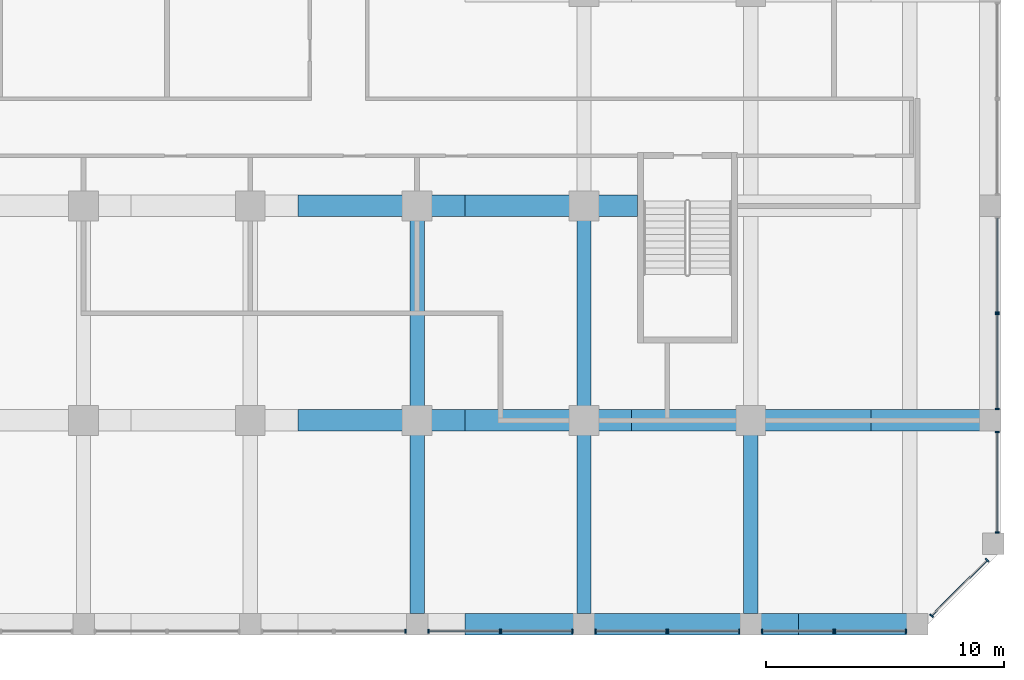
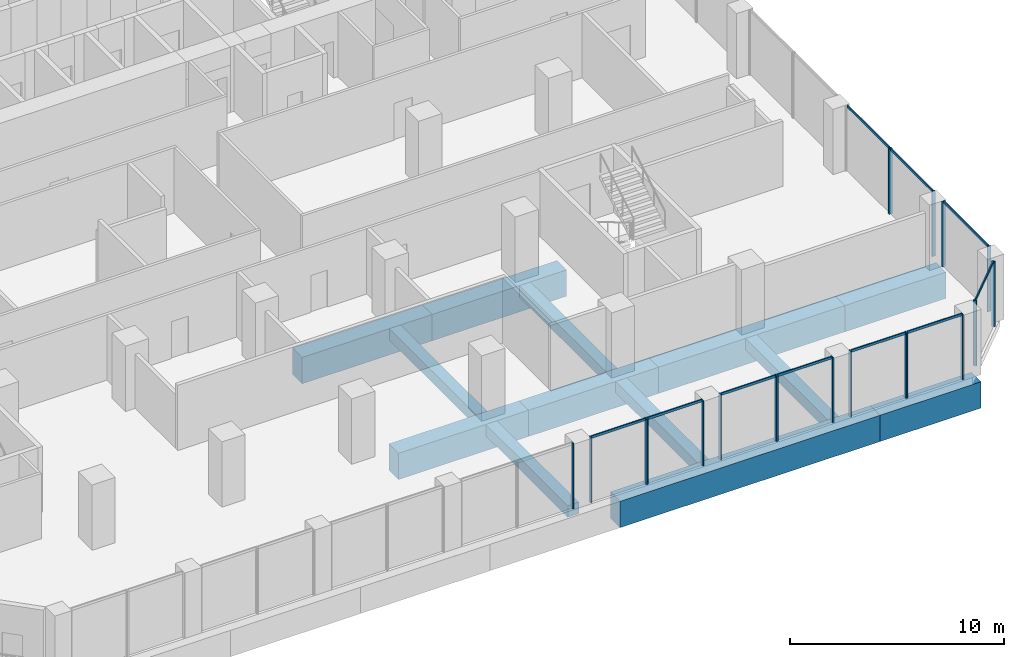
# One storey, part 5 of 20: 30 members, 13 beams, 11 elements without a shape of their own.
"""IFC4 building model written with IfcOpenShell, lengths in metres."""

from ifc_helpers import new_model, si_unit, direction, frame, origin, origin_2d, place, context, subcontext, project, spatial, rectangle, extrude, source, transform, mapped, material, material_profile, profile_set, type_object, element, aggregate, save


model = new_model("IFC4")

# Units and contexts
model_context = context("Model", 3, precision=1e-05, world=origin(), true_north=direction((0.0, 1.0)))
body_context = subcontext(model_context, "Body", "Model", "MODEL_VIEW")
ifc_project = project(units=[si_unit("LENGTHUNIT", "METRE"), si_unit("AREAUNIT", "SQUARE_METRE"), si_unit("VOLUMEUNIT", "CUBIC_METRE"), si_unit("PLANEANGLEUNIT", "RADIAN"), si_unit("MASSUNIT", "GRAM", prefix="KILO")], contexts=[model_context])

# Site, building, storey
site_placement = place(None, origin())
site = spatial("IfcSite", under=ifc_project, at=site_placement, CompositionType="ELEMENT")
building_placement = place(site_placement, origin())
building = spatial("IfcBuilding", under=site, at=building_placement, Name="Kilnfold Tower and Market Hall", CompositionType="ELEMENT")
storey_placement = place(building_placement, frame((0.0, 0.0, 63.199951171875)))
storey = spatial("IfcBuildingStorey", under=building, at=storey_placement, Name="L14", CompositionType="ELEMENT", Elevation=63.199951171875)

# Beams
ifc_material_1 = material(Name="Concrete C60", Category="concrete")
ifc_material_profile_1 = material_profile(ifc_material_1, rectangle(XDim=0.89990234375, YDim=1.5, at=origin_2d()), Name="RC 900x1500")
ifc_profile_set_1 = profile_set([ifc_material_profile_1], Name="Concrete C60")
beam_type_1 = type_object("IfcBeamType", Name="TRANSFER GIRDER 900X1500 C60", PredefinedType="BEAM", material=ifc_profile_set_1)
shared_shape_1 = source(origin(), body_context, "Body", "SweptSolid", [
    extrude(rectangle(XDim=0.89990234375, YDim=1.5, at=origin_2d()), origin(), (0.0, 0.0, 1.0), 10.050048828125),
])
beam_1_placement = place(storey_placement, frame((17.5, -19.0, -1.14990234375), z_axis=(1.0, 0.0, 0.0), x_axis=(0.0, 1.0, 0.0)))
element("IfcBeam", 1, at=beam_1_placement, inside=storey, type_object=beam_type_1, Name="Beam TG1500-B2.29", PredefinedType="BEAM", context=body_context, shape_type="MappedRepresentation", body=[
    mapped(shared_shape_1, transform((0.0, 0.0, 0.0))),
])
shared_shape_2 = source(origin(), body_context, "Body", "SweptSolid", [
    extrude(rectangle(XDim=0.89990234375, YDim=1.5, at=origin_2d()), origin(), (0.0, 0.0, 1.0), 7.0),
])
for number, where, z_axis, x_axis, name in (
    (2, (3.5, -19.0, -1.14990234375), (1.0, 0.0, 0.0), (0.0, 1.0, 0.0), "Beam TG1500-B2.21"),
    (3, (3.5, -10.0, -1.14990234375), (1.0, 0.0, 0.0), (0.0, 1.0, 0.0), "Beam TG1500-B2.22"),
    (4, (10.5, -19.0, -1.14990234375), (1.0, 0.0, 0.0), (0.0, 1.0, 0.0), "Beam TG1500-B2.25"),
):
    element("IfcBeam", number, at=place(storey_placement, frame(where, z_axis=z_axis, x_axis=x_axis)), inside=storey, type_object=beam_type_1, Name=name, PredefinedType="BEAM", context=body_context, shape_type="MappedRepresentation", body=[
        mapped(shared_shape_2, transform((0.0, 0.0, 0.0))),
    ])
shared_shape_3 = source(origin(), body_context, "Body", "SweptSolid", [
    extrude(rectangle(XDim=0.89990234375, YDim=1.5, at=origin_2d()), origin(), (0.0, 0.0, 1.0), 14.0),
])
beam_2_placement = place(storey_placement, frame((10.5, -27.550048828125, -1.14990234375), z_axis=(1.0, 0.0, 0.0), x_axis=(0.0, 1.0, 0.0)))
element("IfcBeam", 5, at=beam_2_placement, inside=storey, type_object=beam_type_1, Name="Beam TG1500-B2.24", PredefinedType="BEAM", context=body_context, shape_type="MappedRepresentation", body=[
    mapped(shared_shape_3, transform((0.0, 0.0, 0.0))),
])
shared_shape_4 = source(origin(), body_context, "Body", "SweptSolid", [
    extrude(rectangle(XDim=0.89990234375, YDim=1.5, at=origin_2d()), origin(), (0.0, 0.0, 1.0), 7.25),
])
beam_3_placement = place(storey_placement, frame((10.5, -10.0, -1.14990234375), z_axis=(1.0, 0.0, 0.0), x_axis=(0.0, 1.0, 0.0)))
element("IfcBeam", 6, at=beam_3_placement, inside=storey, type_object=beam_type_1, Name="Beam TG1500-B2.26", PredefinedType="BEAM", context=body_context, shape_type="MappedRepresentation", body=[
    mapped(shared_shape_4, transform((0.0, 0.0, 0.0))),
])
shared_shape_5 = source(origin(), body_context, "Body", "SweptSolid", [
    extrude(rectangle(XDim=0.89990234375, YDim=1.5, at=origin_2d()), origin(), (0.0, 0.0, 1.0), 5.449951171875),
])
for number, where, z_axis, x_axis, name in (
    (7, (24.5, -27.550048828125, -1.14990234375), (1.0, 0.0, 0.0), (0.0, 1.0, 0.0), "Beam TG1500-B2.33"),
    (8, (27.550048828125, -19.0, -1.14990234375), (1.0, 0.0, 0.0), (0.0, 1.0, 0.0), "Beam TG1500-B2.34"),
):
    element("IfcBeam", number, at=place(storey_placement, frame(where, z_axis=z_axis, x_axis=x_axis)), inside=storey, type_object=beam_type_1, Name=name, PredefinedType="BEAM", context=body_context, shape_type="MappedRepresentation", body=[
        mapped(shared_shape_5, transform((0.0, 0.0, 0.0))),
    ])
ifc_material_2 = material(Name="Concrete C45", Category="concrete")
ifc_material_profile_2 = material_profile(ifc_material_2, rectangle(XDim=0.60009765625, YDim=0.64990234375, at=origin_2d()), Name="RC 600x650")
ifc_profile_set_2 = profile_set([ifc_material_profile_2], Name="Concrete C45")
beam_type_2 = type_object("IfcBeamType", Name="BEAM 600X650 C45", PredefinedType="BEAM", material=ifc_profile_set_2)
shared_shape_6 = source(origin(), body_context, "Body", "SweptSolid", [
    extrude(rectangle(XDim=0.60009765625, YDim=0.64990234375, at=origin_2d()), origin(), (0.0, 0.0, 1.0), 7.650146484375),
])
for number, where, z_axis, x_axis, name in (
    (9, (8.5, -27.10009765625, -0.724853515625), (0.0, 1.0, 0.0), (-1.0, 0.0, 0.0), "Beam BB650-B2.50"),
    (10, (15.5, -27.10009765625, -0.724853515625), (0.0, 1.0, 0.0), (-1.0, 0.0, 0.0), "Beam BB650-B2.52"),
    (11, (22.5, -27.10009765625, -0.724853515625), (0.0, 1.0, 0.0), (-1.0, 0.0, 0.0), "Beam BB650-B2.55"),
):
    element("IfcBeam", number, at=place(storey_placement, frame(where, z_axis=z_axis, x_axis=x_axis)), inside=storey, type_object=beam_type_2, Name=name, PredefinedType="BEAM", context=body_context, shape_type="MappedRepresentation", body=[
        mapped(shared_shape_6, transform((0.0, 0.0, 0.0))),
    ])
shared_shape_7 = source(origin(), body_context, "Body", "SweptSolid", [
    extrude(rectangle(XDim=0.60009765625, YDim=0.64990234375, at=origin_2d()), origin(), (0.0, 0.0, 1.0), 8.10009765625),
])
for number, where, z_axis, x_axis, name in (
    (12, (8.5, -18.550048828125, -0.724853515625), (0.0, 1.0, 0.0), (-1.0, 0.0, 0.0), "Beam BB650-B2.51"),
    (13, (15.5, -18.550048828125, -0.724853515625), (0.0, 1.0, 0.0), (-1.0, 0.0, 0.0), "Beam BB650-B2.53"),
):
    element("IfcBeam", number, at=place(storey_placement, frame(where, z_axis=z_axis, x_axis=x_axis)), inside=storey, type_object=beam_type_2, Name=name, PredefinedType="BEAM", context=body_context, shape_type="MappedRepresentation", body=[
        mapped(shared_shape_7, transform((0.0, 0.0, 0.0))),
    ])

# Curtain wall, member
ifc_material_3 = material(Name="Aluminium and double glazing", Category="aluminium")
curtain_wall_type = type_object("IfcCurtainWallType", Name="CW OF1 VALLEY GLAZING", PredefinedType="NOTDEFINED", material=ifc_material_3)
curtain_wall_1_placement = place(storey_placement, origin())
curtain_wall_1 = element("IfcCurtainWall", 14, at=curtain_wall_1_placement, inside=storey, type_object=curtain_wall_type, Name="Curtain wall CW1 L14 S", PredefinedType="NOTDEFINED")
ifc_material_4 = material(Name="Aluminium", Category="aluminium")
ifc_material_profile_3 = material_profile(ifc_material_4, rectangle(XDim=0.06005859375, YDim=0.179931640625, at=origin_2d()), Name="MULLION 60x180")
ifc_profile_set_3 = profile_set([ifc_material_profile_3], Name="Aluminium")
member_type_1 = type_object("IfcMemberType", Name="MULLION 60X180", PredefinedType="MULLION", material=ifc_profile_set_3)
shared_shape_8 = source(origin(), body_context, "Body", "SweptSolid", [
    extrude(rectangle(XDim=0.06005859375, YDim=0.179931640625, at=origin_2d()), origin(), (0.0, 0.0, 1.0), 3.719970703125),
])
member_1_placement = place(storey_placement, frame((8.02001953125, -27.85009765625, 0.0), z_axis=(0.0, 0.0, 1.0), x_axis=(1.0, 0.0, 0.0)))
member_1 = element("IfcMember", 15, at=member_1_placement, type_object=member_type_1, Name="CW1 mullion 2", PredefinedType="MULLION", context=body_context, shape_type="MappedRepresentation", body=[
    mapped(shared_shape_8, transform((0.0, 0.0, 0.0))),
])
aggregate(curtain_wall_1, [member_1])

# Curtain wall, members
curtain_wall_2_placement = place(storey_placement, origin())
curtain_wall_2 = element("IfcCurtainWall", 16, at=curtain_wall_2_placement, inside=storey, type_object=curtain_wall_type, Name="Curtain wall CW1 L14 S", PredefinedType="NOTDEFINED")
member_2_placement = place(storey_placement, frame((8.97998046875, -27.85009765625, 0.0), z_axis=(0.0, 0.0, 1.0), x_axis=(1.0, 0.0, 0.0)))
member_2 = element("IfcMember", 17, at=member_2_placement, type_object=member_type_1, Name="CW1 mullion 1", PredefinedType="MULLION", context=body_context, shape_type="MappedRepresentation", body=[
    mapped(shared_shape_8, transform((0.0, 0.0, 0.0))),
])
member_3_placement = place(storey_placement, frame((11.969970703125, -27.85009765625, 0.0), z_axis=(0.0, 0.0, 1.0), x_axis=(1.0, 0.0, 0.0)))
member_3 = element("IfcMember", 18, at=member_3_placement, type_object=member_type_1, Name="CW1 mullion 2", PredefinedType="MULLION", context=body_context, shape_type="MappedRepresentation", body=[
    mapped(shared_shape_8, transform((0.0, 0.0, 0.0))),
])

curtain_wall_3_placement = place(storey_placement, origin())
curtain_wall_3 = element("IfcCurtainWall", 19, at=curtain_wall_3_placement, inside=storey, type_object=curtain_wall_type, Name="Curtain wall CW1 L14 S", PredefinedType="NOTDEFINED")
member_4_placement = place(storey_placement, frame((12.030029296875, -27.85009765625, 0.0), z_axis=(0.0, 0.0, 1.0), x_axis=(1.0, 0.0, 0.0)))
member_4 = element("IfcMember", 20, at=member_4_placement, type_object=member_type_1, Name="CW1 mullion 1", PredefinedType="MULLION", context=body_context, shape_type="MappedRepresentation", body=[
    mapped(shared_shape_8, transform((0.0, 0.0, 0.0))),
])
member_5_placement = place(storey_placement, frame((15.02001953125, -27.85009765625, 0.0), z_axis=(0.0, 0.0, 1.0), x_axis=(1.0, 0.0, 0.0)))
member_5 = element("IfcMember", 21, at=member_5_placement, type_object=member_type_1, Name="CW1 mullion 2", PredefinedType="MULLION", context=body_context, shape_type="MappedRepresentation", body=[
    mapped(shared_shape_8, transform((0.0, 0.0, 0.0))),
])

curtain_wall_4_placement = place(storey_placement, origin())
curtain_wall_4 = element("IfcCurtainWall", 22, at=curtain_wall_4_placement, inside=storey, type_object=curtain_wall_type, Name="Curtain wall CW1 L14 S", PredefinedType="NOTDEFINED")
member_6_placement = place(storey_placement, frame((15.97998046875, -27.85009765625, 0.0), z_axis=(0.0, 0.0, 1.0), x_axis=(1.0, 0.0, 0.0)))
member_6 = element("IfcMember", 23, at=member_6_placement, type_object=member_type_1, Name="CW1 mullion 1", PredefinedType="MULLION", context=body_context, shape_type="MappedRepresentation", body=[
    mapped(shared_shape_8, transform((0.0, 0.0, 0.0))),
])
member_7_placement = place(storey_placement, frame((18.969970703125, -27.85009765625, 0.0), z_axis=(0.0, 0.0, 1.0), x_axis=(1.0, 0.0, 0.0)))
member_7 = element("IfcMember", 24, at=member_7_placement, type_object=member_type_1, Name="CW1 mullion 2", PredefinedType="MULLION", context=body_context, shape_type="MappedRepresentation", body=[
    mapped(shared_shape_8, transform((0.0, 0.0, 0.0))),
])

curtain_wall_5_placement = place(storey_placement, origin())
curtain_wall_5 = element("IfcCurtainWall", 25, at=curtain_wall_5_placement, inside=storey, type_object=curtain_wall_type, Name="Curtain wall CW1 L14 S", PredefinedType="NOTDEFINED")
member_8_placement = place(storey_placement, frame((19.030029296875, -27.85009765625, 0.0), z_axis=(0.0, 0.0, 1.0), x_axis=(1.0, 0.0, 0.0)))
member_8 = element("IfcMember", 26, at=member_8_placement, type_object=member_type_1, Name="CW1 mullion 1", PredefinedType="MULLION", context=body_context, shape_type="MappedRepresentation", body=[
    mapped(shared_shape_8, transform((0.0, 0.0, 0.0))),
])
member_9_placement = place(storey_placement, frame((22.02001953125, -27.85009765625, 0.0), z_axis=(0.0, 0.0, 1.0), x_axis=(1.0, 0.0, 0.0)))
member_9 = element("IfcMember", 27, at=member_9_placement, type_object=member_type_1, Name="CW1 mullion 2", PredefinedType="MULLION", context=body_context, shape_type="MappedRepresentation", body=[
    mapped(shared_shape_8, transform((0.0, 0.0, 0.0))),
])

curtain_wall_6_placement = place(storey_placement, origin())
curtain_wall_6 = element("IfcCurtainWall", 28, at=curtain_wall_6_placement, inside=storey, type_object=curtain_wall_type, Name="Curtain wall CW1 L14 S", PredefinedType="NOTDEFINED")
member_10_placement = place(storey_placement, frame((22.97998046875, -27.85009765625, 0.0), z_axis=(0.0, 0.0, 1.0), x_axis=(1.0, 0.0, 0.0)))
member_10 = element("IfcMember", 29, at=member_10_placement, type_object=member_type_1, Name="CW1 mullion 1", PredefinedType="MULLION", context=body_context, shape_type="MappedRepresentation", body=[
    mapped(shared_shape_8, transform((0.0, 0.0, 0.0))),
])
member_11_placement = place(storey_placement, frame((25.969970703125, -27.85009765625, 0.0), z_axis=(0.0, 0.0, 1.0), x_axis=(1.0, 0.0, 0.0)))
member_11 = element("IfcMember", 30, at=member_11_placement, type_object=member_type_1, Name="CW1 mullion 2", PredefinedType="MULLION", context=body_context, shape_type="MappedRepresentation", body=[
    mapped(shared_shape_8, transform((0.0, 0.0, 0.0))),
])

curtain_wall_7_placement = place(storey_placement, origin())
curtain_wall_7 = element("IfcCurtainWall", 31, at=curtain_wall_7_placement, inside=storey, type_object=curtain_wall_type, Name="Curtain wall CW1 L14 S", PredefinedType="NOTDEFINED")
member_12_placement = place(storey_placement, frame((26.030029296875, -27.85009765625, 0.0), z_axis=(0.0, 0.0, 1.0), x_axis=(1.0, 0.0, 0.0)))
member_12 = element("IfcMember", 32, at=member_12_placement, type_object=member_type_1, Name="CW1 mullion 1", PredefinedType="MULLION", context=body_context, shape_type="MappedRepresentation", body=[
    mapped(shared_shape_8, transform((0.0, 0.0, 0.0))),
])
member_13_placement = place(storey_placement, frame((29.02001953125, -27.85009765625, 0.0), z_axis=(0.0, 0.0, 1.0), x_axis=(1.0, 0.0, 0.0)))
member_13 = element("IfcMember", 33, at=member_13_placement, type_object=member_type_1, Name="CW1 mullion 2", PredefinedType="MULLION", context=body_context, shape_type="MappedRepresentation", body=[
    mapped(shared_shape_8, transform((0.0, 0.0, 0.0))),
])

curtain_wall_8_placement = place(storey_placement, origin())
curtain_wall_8 = element("IfcCurtainWall", 34, at=curtain_wall_8_placement, inside=storey, type_object=curtain_wall_type, Name="Curtain wall CW1 L14 SE", PredefinedType="NOTDEFINED")
member_14_placement = place(storey_placement, frame((30.090087890625, -27.19775390625, 0.0), z_axis=(0.0, 0.0, 1.0), x_axis=(0.707121667181, 0.707091894879, 0.0)))
member_14 = element("IfcMember", 35, at=member_14_placement, type_object=member_type_1, Name="CW1 mullion 1", PredefinedType="MULLION", context=body_context, shape_type="MappedRepresentation", body=[
    mapped(shared_shape_8, transform((0.0, 0.0, 0.0))),
])
member_15_placement = place(storey_placement, frame((32.4228515625, -24.865234375, 0.0), z_axis=(0.0, 0.0, 1.0), x_axis=(0.707121667181, 0.707091894879, 0.0)))
member_15 = element("IfcMember", 36, at=member_15_placement, type_object=member_type_1, Name="CW1 mullion 2", PredefinedType="MULLION", context=body_context, shape_type="MappedRepresentation", body=[
    mapped(shared_shape_8, transform((0.0, 0.0, 0.0))),
])

curtain_wall_9_placement = place(storey_placement, origin())
curtain_wall_9 = element("IfcCurtainWall", 37, at=curtain_wall_9_placement, inside=storey, type_object=curtain_wall_type, Name="Curtain wall CW1 L14 E", PredefinedType="NOTDEFINED")
member_16_placement = place(storey_placement, frame((32.85009765625, -23.701904296875, 0.0), z_axis=(0.0, 0.0, 1.0), x_axis=(0.0, 1.0, 0.0)))
member_16 = element("IfcMember", 38, at=member_16_placement, type_object=member_type_1, Name="CW1 mullion 1", PredefinedType="MULLION", context=body_context, shape_type="MappedRepresentation", body=[
    mapped(shared_shape_8, transform((0.0, 0.0, 0.0))),
])
member_17_placement = place(storey_placement, frame((32.85009765625, -19.47998046875, 0.0), z_axis=(0.0, 0.0, 1.0), x_axis=(0.0, 1.0, 0.0)))
member_17 = element("IfcMember", 39, at=member_17_placement, type_object=member_type_1, Name="CW1 mullion 2", PredefinedType="MULLION", context=body_context, shape_type="MappedRepresentation", body=[
    mapped(shared_shape_8, transform((0.0, 0.0, 0.0))),
])

curtain_wall_10_placement = place(storey_placement, origin())
curtain_wall_10 = element("IfcCurtainWall", 40, at=curtain_wall_10_placement, inside=storey, type_object=curtain_wall_type, Name="Curtain wall CW1 L14 E", PredefinedType="NOTDEFINED")
member_18_placement = place(storey_placement, frame((32.85009765625, -18.52001953125, 0.0), z_axis=(0.0, 0.0, 1.0), x_axis=(0.0, 1.0, 0.0)))
member_18 = element("IfcMember", 41, at=member_18_placement, type_object=member_type_1, Name="CW1 mullion 1", PredefinedType="MULLION", context=body_context, shape_type="MappedRepresentation", body=[
    mapped(shared_shape_8, transform((0.0, 0.0, 0.0))),
])
member_19_placement = place(storey_placement, frame((32.85009765625, -14.530029296875, 0.0), z_axis=(0.0, 0.0, 1.0), x_axis=(0.0, 1.0, 0.0)))
member_19 = element("IfcMember", 42, at=member_19_placement, type_object=member_type_1, Name="CW1 mullion 2", PredefinedType="MULLION", context=body_context, shape_type="MappedRepresentation", body=[
    mapped(shared_shape_8, transform((0.0, 0.0, 0.0))),
])

# Curtain wall, member
curtain_wall_11_placement = place(storey_placement, origin())
curtain_wall_11 = element("IfcCurtainWall", 43, at=curtain_wall_11_placement, inside=storey, type_object=curtain_wall_type, Name="Curtain wall CW1 L14 E", PredefinedType="NOTDEFINED")
member_20_placement = place(storey_placement, frame((32.85009765625, -14.469970703125, 0.0), z_axis=(0.0, 0.0, 1.0), x_axis=(0.0, 1.0, 0.0)))
member_20 = element("IfcMember", 44, at=member_20_placement, type_object=member_type_1, Name="CW1 mullion 1", PredefinedType="MULLION", context=body_context, shape_type="MappedRepresentation", body=[
    mapped(shared_shape_8, transform((0.0, 0.0, 0.0))),
])

# Member
ifc_material_5 = material(Name="Aluminium", Category="aluminium")
ifc_material_profile_4 = material_profile(ifc_material_5, rectangle(XDim=0.06005859375, YDim=0.139892578125, at=origin_2d()), Name="TRANSOM 60x140")
ifc_profile_set_4 = profile_set([ifc_material_profile_4], Name="Aluminium")
member_type_2 = type_object("IfcMemberType", Name="TRANSOM 60X140", PredefinedType="USERDEFINED", material=ifc_profile_set_4)
shared_shape_9 = source(origin(), body_context, "Body", "SweptSolid", [
    extrude(rectangle(XDim=0.06005859375, YDim=0.139892578125, at=origin_2d()), origin(), (0.0, 0.0, 1.0), 2.929931640625),
])
member_21_placement = place(storey_placement, frame((9.010009765625, -27.85009765625, 3.68994140625), z_axis=(1.0, 0.0, 0.0), x_axis=(0.0, 1.0, 0.0)))
member_21 = element("IfcMember", 45, at=member_21_placement, type_object=member_type_2, Name="CW1 transom 1.2", ObjectType="TRANSOM", PredefinedType="USERDEFINED", context=body_context, shape_type="MappedRepresentation", body=[
    mapped(shared_shape_9, transform((0.0, 0.0, 0.0))),
])

aggregate(curtain_wall_2, [member_2, member_3, member_21])

member_22_placement = place(storey_placement, frame((12.06005859375, -27.85009765625, 3.68994140625), z_axis=(1.0, 0.0, 0.0), x_axis=(0.0, 1.0, 0.0)))
member_22 = element("IfcMember", 46, at=member_22_placement, type_object=member_type_2, Name="CW1 transom 1.2", ObjectType="TRANSOM", PredefinedType="USERDEFINED", context=body_context, shape_type="MappedRepresentation", body=[
    mapped(shared_shape_9, transform((0.0, 0.0, 0.0))),
])

aggregate(curtain_wall_3, [member_4, member_5, member_22])

member_23_placement = place(storey_placement, frame((16.010009765625, -27.85009765625, 3.68994140625), z_axis=(1.0, 0.0, 0.0), x_axis=(0.0, 1.0, 0.0)))
member_23 = element("IfcMember", 47, at=member_23_placement, type_object=member_type_2, Name="CW1 transom 1.2", ObjectType="TRANSOM", PredefinedType="USERDEFINED", context=body_context, shape_type="MappedRepresentation", body=[
    mapped(shared_shape_9, transform((0.0, 0.0, 0.0))),
])

aggregate(curtain_wall_4, [member_6, member_7, member_23])

member_24_placement = place(storey_placement, frame((19.06005859375, -27.85009765625, 3.68994140625), z_axis=(1.0, 0.0, 0.0), x_axis=(0.0, 1.0, 0.0)))
member_24 = element("IfcMember", 48, at=member_24_placement, type_object=member_type_2, Name="CW1 transom 1.2", ObjectType="TRANSOM", PredefinedType="USERDEFINED", context=body_context, shape_type="MappedRepresentation", body=[
    mapped(shared_shape_9, transform((0.0, 0.0, 0.0))),
])

aggregate(curtain_wall_5, [member_8, member_9, member_24])

member_25_placement = place(storey_placement, frame((23.010009765625, -27.85009765625, 3.68994140625), z_axis=(1.0, 0.0, 0.0), x_axis=(0.0, 1.0, 0.0)))
member_25 = element("IfcMember", 49, at=member_25_placement, type_object=member_type_2, Name="CW1 transom 1.2", ObjectType="TRANSOM", PredefinedType="USERDEFINED", context=body_context, shape_type="MappedRepresentation", body=[
    mapped(shared_shape_9, transform((0.0, 0.0, 0.0))),
])

aggregate(curtain_wall_6, [member_10, member_11, member_25])

member_26_placement = place(storey_placement, frame((26.06005859375, -27.85009765625, 3.68994140625), z_axis=(1.0, 0.0, 0.0), x_axis=(0.0, 1.0, 0.0)))
member_26 = element("IfcMember", 50, at=member_26_placement, type_object=member_type_2, Name="CW1 transom 1.2", ObjectType="TRANSOM", PredefinedType="USERDEFINED", context=body_context, shape_type="MappedRepresentation", body=[
    mapped(shared_shape_9, transform((0.0, 0.0, 0.0))),
])

aggregate(curtain_wall_7, [member_12, member_13, member_26])

shared_shape_10 = source(origin(), body_context, "Body", "SweptSolid", [
    extrude(rectangle(XDim=0.06005859375, YDim=0.139892578125, at=origin_2d()), origin(), (0.0, 0.0, 1.0), 3.929931640625),
])
member_27_placement = place(storey_placement, frame((32.85009765625, -18.489990234375, 3.68994140625), z_axis=(0.0, 1.0, 0.0), x_axis=(-1.0, 0.0, 0.0)))
member_27 = element("IfcMember", 51, at=member_27_placement, type_object=member_type_2, Name="CW1 transom 1.2", ObjectType="TRANSOM", PredefinedType="USERDEFINED", context=body_context, shape_type="MappedRepresentation", body=[
    mapped(shared_shape_10, transform((0.0, 0.0, 0.0))),
])

aggregate(curtain_wall_10, [member_18, member_19, member_27])

member_28_placement = place(storey_placement, frame((32.85009765625, -14.43994140625, 3.68994140625), z_axis=(0.0, 1.0, 0.0), x_axis=(-1.0, 0.0, 0.0)))
member_28 = element("IfcMember", 52, at=member_28_placement, type_object=member_type_2, Name="CW1 transom 1.2", ObjectType="TRANSOM", PredefinedType="USERDEFINED", context=body_context, shape_type="MappedRepresentation", body=[
    mapped(shared_shape_10, transform((0.0, 0.0, 0.0))),
])

aggregate(curtain_wall_11, [member_20, member_28])

shared_shape_11 = source(origin(), body_context, "Body", "SweptSolid", [
    extrude(rectangle(XDim=0.06005859375, YDim=0.139892578125, at=origin_2d()), origin(), (0.0, 0.0, 1.0), 4.161865234375),
])
member_29_placement = place(storey_placement, frame((32.85009765625, -23.671875, 3.68994140625), z_axis=(0.0, 1.0, 0.0), x_axis=(-1.0, 0.0, 0.0)))
member_29 = element("IfcMember", 53, at=member_29_placement, type_object=member_type_2, Name="CW1 transom 1.2", ObjectType="TRANSOM", PredefinedType="USERDEFINED", context=body_context, shape_type="MappedRepresentation", body=[
    mapped(shared_shape_11, transform((0.0, 0.0, 0.0))),
])

aggregate(curtain_wall_9, [member_16, member_17, member_29])

shared_shape_12 = source(origin(), body_context, "Body", "SweptSolid", [
    extrude(rectangle(XDim=0.06005859375, YDim=0.139892578125, at=origin_2d()), origin(), (0.0, 0.0, 1.0), 3.239013671875),
])
member_30_placement = place(storey_placement, frame((30.111328125, -27.176513671875, 3.68994140625), z_axis=(0.707106781187, 0.707106781187, 0.0), x_axis=(-0.707106781187, 0.707106781187, 0.0)))
member_30 = element("IfcMember", 54, at=member_30_placement, type_object=member_type_2, Name="CW1 transom 1.2", ObjectType="TRANSOM", PredefinedType="USERDEFINED", context=body_context, shape_type="MappedRepresentation", body=[
    mapped(shared_shape_12, transform((0.0, 0.0, 0.0))),
])

aggregate(curtain_wall_8, [member_14, member_15, member_30])

save(model, "model.ifc")
